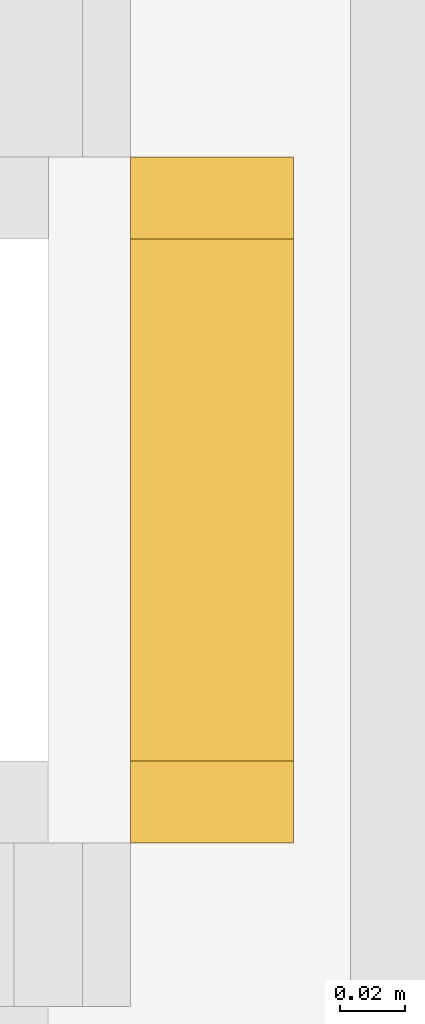
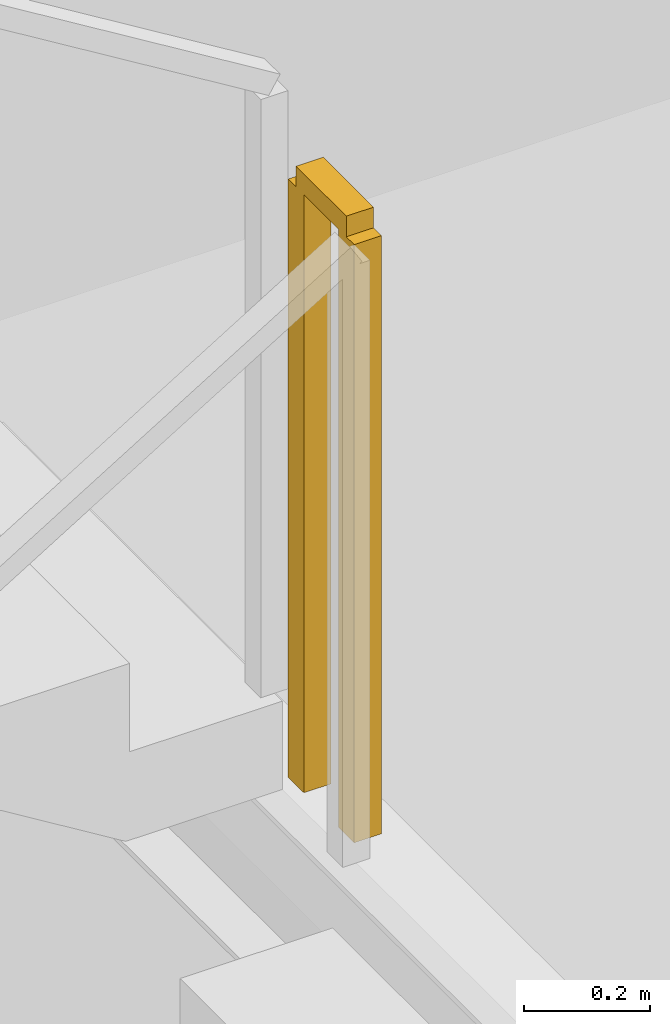
# One storey, part 35 of 39: 1 railing.
"""IFC4 building model written with IfcOpenShell, lengths in metres."""

from ifc_helpers import new_model, si_unit, direction, frame, origin, origin_2d, place, context, subcontext, project, spatial, rectangle, extrude, material, type_object, element, save


model = new_model("IFC4")

# Units and contexts
model_context = context("Model", 3, precision=1e-05, world=origin(), true_north=direction((0.0, 1.0)))
body_context = subcontext(model_context, "Body", "Model", "MODEL_VIEW")
ifc_project = project(units=[si_unit("LENGTHUNIT", "METRE"), si_unit("AREAUNIT", "SQUARE_METRE"), si_unit("VOLUMEUNIT", "CUBIC_METRE"), si_unit("PLANEANGLEUNIT", "RADIAN"), si_unit("MASSUNIT", "GRAM", prefix="KILO")], contexts=[model_context])

# Site, building, storey
site_placement = place(None, origin())
site = spatial("IfcSite", under=ifc_project, at=site_placement, CompositionType="ELEMENT")
building_placement = place(site_placement, origin())
building = spatial("IfcBuilding", under=site, at=building_placement, Name="Qianvela Tower", CompositionType="ELEMENT")
storey_placement = place(building_placement, frame((0.0, 0.0, 15.800048828125)))
storey = spatial("IfcBuildingStorey", under=building, at=storey_placement, Name="L03", CompositionType="ELEMENT", Elevation=15.800048828125)

# Railing
ifc_material = material(Name="Painted Tubular Steel Q355B", Category="steel")
railing_type = type_object("IfcRailingType", Name="RL-STAIR-GUARD-1200", PredefinedType="GUARDRAIL", material=ifc_material)
railing_placement = place(storey_placement, frame((35.110107421875, 26.35009765625, 2.39990234375)))
element("IfcRailing", 1, at=railing_placement, inside=storey, type_object=railing_type, Name="L03 ST-2 stair guard 2", PredefinedType="GUARDRAIL", context=body_context, shape_type="SweptSolid", body=[
    extrude(rectangle(XDim=0.050048828125, YDim=0.0400390625, at=origin_2d()), frame((0.0, 0.0, 1.179931640625), z_axis=(0.0, 1.0, 0.0), x_axis=(-1.0, 0.0, 0.0)), (0.0, 0.0, 1.0), 0.159912109375),
    extrude(rectangle(XDim=0.050048828125, YDim=0.050048828125, at=origin_2d()), origin(), (0.0, 0.0, 1.0), 1.159912109375),
    extrude(rectangle(XDim=0.050048828125, YDim=0.050048828125, at=origin_2d()), frame((0.0, 0.159912109375, 0.0)), (0.0, 0.0, 1.0), 1.159912109375),
])

save(model, "model.ifc")
